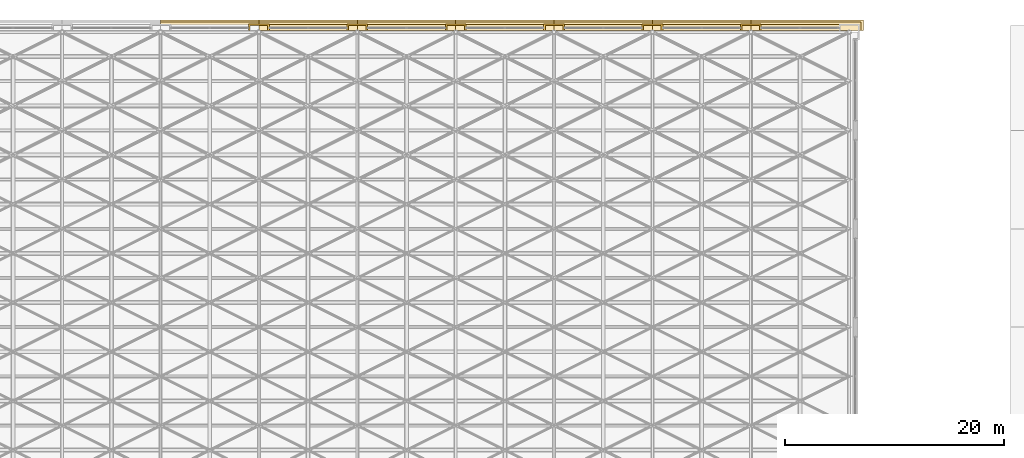
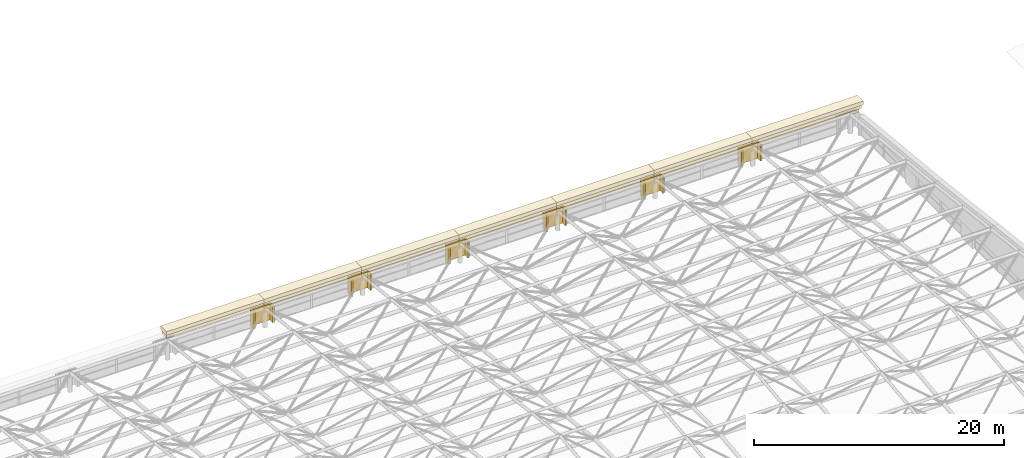
# One storey, part 53 of 53: 26 coverings.
"""IFC4 building model written with IfcOpenShell, lengths in metres."""

from ifc_helpers import new_model, si_unit, direction, frame, origin, place, context, subcontext, project, spatial, polyline, outline, extrude, material, layer, layer_set, type_object, element, save


model = new_model("IFC4")

# Units and contexts
model_context = context("Model", 3, precision=1e-05, world=origin(), true_north=direction((0.0, 1.0)))
body_context = subcontext(model_context, "Body", "Model", "MODEL_VIEW")
ifc_project = project(units=[si_unit("LENGTHUNIT", "METRE"), si_unit("AREAUNIT", "SQUARE_METRE"), si_unit("VOLUMEUNIT", "CUBIC_METRE"), si_unit("PLANEANGLEUNIT", "RADIAN"), si_unit("MASSUNIT", "GRAM", prefix="KILO")], contexts=[model_context])

# Site, building, storey
site_placement = place(None, origin())
site = spatial("IfcSite", under=ifc_project, at=site_placement, CompositionType="ELEMENT")
building_placement = place(site_placement, origin())
building = spatial("IfcBuilding", under=site, at=building_placement, Name="Aravalli Gate Trade Fair Centre", CompositionType="ELEMENT")
storey_placement = place(building_placement, frame((0.0, 0.0, 25.199951171875)))
storey = spatial("IfcBuildingStorey", under=building, at=storey_placement, Name="ROOF LEVEL 2", CompositionType="ELEMENT", Elevation=25.199951171875)

# Coverings
ifc_material = material(Name="Terracotta", Category="masonry")
ifc_layer_1 = layer(ifc_material, 0.300048828125)
ifc_layer_set_1 = layer_set([ifc_layer_1], Name="Terracotta")
covering_type_1 = type_object("IfcCoveringType", Name="Hall cornice course 1", PredefinedType="CLADDING", material=ifc_layer_set_1)
covering_1_placement = place(storey_placement, frame((0.0, 0.0, 1.60009765625)))
element("IfcCovering", 1, at=covering_1_placement, inside=storey, type_object=covering_type_1, Name="Hall cornice course 1 N06", PredefinedType="CLADDING", context=body_context, shape_type="SweptSolid", body=[
    extrude(outline(polyline([(51.0, 109.14990234375), (60.0, 109.14990234375), (60.0, 109.699951171875), (51.0, 109.699951171875), (51.0, 109.14990234375)])), origin(), (0.0, 0.0, 1.0), 0.300048828125),
])
covering_2_placement = place(storey_placement, frame((0.0, 0.0, 1.60009765625)))
element("IfcCovering", 2, at=covering_2_placement, inside=storey, type_object=covering_type_1, Name="Hall cornice course 1 N07", PredefinedType="CLADDING", context=body_context, shape_type="SweptSolid", body=[
    extrude(outline(polyline([(60.0, 109.14990234375), (69.0, 109.14990234375), (69.0, 109.699951171875), (60.0, 109.699951171875), (60.0, 109.14990234375)])), origin(), (0.0, 0.0, 1.0), 0.300048828125),
])
covering_3_placement = place(storey_placement, frame((0.0, 0.0, 1.60009765625)))
element("IfcCovering", 3, at=covering_3_placement, inside=storey, type_object=covering_type_1, Name="Hall cornice course 1 N08", PredefinedType="CLADDING", context=body_context, shape_type="SweptSolid", body=[
    extrude(outline(polyline([(69.0, 109.14990234375), (78.0, 109.14990234375), (78.0, 109.699951171875), (69.0, 109.699951171875), (69.0, 109.14990234375)])), origin(), (0.0, 0.0, 1.0), 0.300048828125),
])
covering_4_placement = place(storey_placement, frame((0.0, 0.0, 1.60009765625)))
element("IfcCovering", 4, at=covering_4_placement, inside=storey, type_object=covering_type_1, Name="Hall cornice course 1 N09", PredefinedType="CLADDING", context=body_context, shape_type="SweptSolid", body=[
    extrude(outline(polyline([(78.0, 109.14990234375), (87.0, 109.14990234375), (87.0, 109.699951171875), (78.0, 109.699951171875), (78.0, 109.14990234375)])), origin(), (0.0, 0.0, 1.0), 0.300048828125),
])
covering_5_placement = place(storey_placement, frame((0.0, 0.0, 1.60009765625)))
element("IfcCovering", 5, at=covering_5_placement, inside=storey, type_object=covering_type_1, Name="Hall cornice course 1 N10", PredefinedType="CLADDING", context=body_context, shape_type="SweptSolid", body=[
    extrude(outline(polyline([(87.0, 109.14990234375), (96.0, 109.14990234375), (96.0, 109.699951171875), (87.0, 109.699951171875), (87.0, 109.14990234375)])), origin(), (0.0, 0.0, 1.0), 0.300048828125),
])
covering_6_placement = place(storey_placement, frame((0.0, 0.0, 1.60009765625)))
element("IfcCovering", 6, at=covering_6_placement, inside=storey, type_object=covering_type_1, Name="Hall cornice course 1 N11", PredefinedType="CLADDING", context=body_context, shape_type="SweptSolid", body=[
    extrude(outline(polyline([(96.0, 109.14990234375), (105.89990234375, 109.14990234375), (105.89990234375, 109.699951171875), (96.0, 109.699951171875), (96.0, 109.14990234375)])), origin(), (0.0, 0.0, 1.0), 0.300048828125),
])
ifc_layer_2 = layer(ifc_material, 0.300048828125)
ifc_layer_set_2 = layer_set([ifc_layer_2], Name="Terracotta")
covering_type_2 = type_object("IfcCoveringType", Name="Hall cornice course 2", PredefinedType="CLADDING", material=ifc_layer_set_2)
covering_7_placement = place(storey_placement, frame((0.0, 0.0, 1.900146484375)))
element("IfcCovering", 7, at=covering_7_placement, inside=storey, type_object=covering_type_2, Name="Hall cornice course 2 N05", PredefinedType="CLADDING", context=body_context, shape_type="SweptSolid", body=[
    extrude(outline(polyline([(42.0, 109.14990234375), (51.0, 109.14990234375), (51.0, 109.89990234375), (42.0, 109.89990234375), (42.0, 109.14990234375)])), origin(), (0.0, 0.0, 1.0), 0.2998046875),
])
covering_8_placement = place(storey_placement, frame((0.0, 0.0, 1.900146484375)))
element("IfcCovering", 8, at=covering_8_placement, inside=storey, type_object=covering_type_2, Name="Hall cornice course 2 N06", PredefinedType="CLADDING", context=body_context, shape_type="SweptSolid", body=[
    extrude(outline(polyline([(51.0, 109.14990234375), (60.0, 109.14990234375), (60.0, 109.89990234375), (51.0, 109.89990234375), (51.0, 109.14990234375)])), origin(), (0.0, 0.0, 1.0), 0.2998046875),
])
covering_9_placement = place(storey_placement, frame((0.0, 0.0, 1.900146484375)))
element("IfcCovering", 9, at=covering_9_placement, inside=storey, type_object=covering_type_2, Name="Hall cornice course 2 N07", PredefinedType="CLADDING", context=body_context, shape_type="SweptSolid", body=[
    extrude(outline(polyline([(60.0, 109.14990234375), (69.0, 109.14990234375), (69.0, 109.89990234375), (60.0, 109.89990234375), (60.0, 109.14990234375)])), origin(), (0.0, 0.0, 1.0), 0.2998046875),
])
covering_10_placement = place(storey_placement, frame((0.0, 0.0, 1.900146484375)))
element("IfcCovering", 10, at=covering_10_placement, inside=storey, type_object=covering_type_2, Name="Hall cornice course 2 N08", PredefinedType="CLADDING", context=body_context, shape_type="SweptSolid", body=[
    extrude(outline(polyline([(69.0, 109.14990234375), (78.0, 109.14990234375), (78.0, 109.89990234375), (69.0, 109.89990234375), (69.0, 109.14990234375)])), origin(), (0.0, 0.0, 1.0), 0.2998046875),
])
covering_11_placement = place(storey_placement, frame((0.0, 0.0, 1.900146484375)))
element("IfcCovering", 11, at=covering_11_placement, inside=storey, type_object=covering_type_2, Name="Hall cornice course 2 N09", PredefinedType="CLADDING", context=body_context, shape_type="SweptSolid", body=[
    extrude(outline(polyline([(78.0, 109.14990234375), (87.0, 109.14990234375), (87.0, 109.89990234375), (78.0, 109.89990234375), (78.0, 109.14990234375)])), origin(), (0.0, 0.0, 1.0), 0.2998046875),
])
covering_12_placement = place(storey_placement, frame((0.0, 0.0, 1.900146484375)))
element("IfcCovering", 12, at=covering_12_placement, inside=storey, type_object=covering_type_2, Name="Hall cornice course 2 N10", PredefinedType="CLADDING", context=body_context, shape_type="SweptSolid", body=[
    extrude(outline(polyline([(87.0, 109.14990234375), (96.0, 109.14990234375), (96.0, 109.89990234375), (87.0, 109.89990234375), (87.0, 109.14990234375)])), origin(), (0.0, 0.0, 1.0), 0.2998046875),
])
covering_13_placement = place(storey_placement, frame((0.0, 0.0, 1.900146484375)))
element("IfcCovering", 13, at=covering_13_placement, inside=storey, type_object=covering_type_2, Name="Hall cornice course 2 N11", PredefinedType="CLADDING", context=body_context, shape_type="SweptSolid", body=[
    extrude(outline(polyline([(96.0, 109.14990234375), (106.10009765625, 109.14990234375), (106.10009765625, 109.89990234375), (96.0, 109.89990234375), (96.0, 109.14990234375)])), origin(), (0.0, 0.0, 1.0), 0.2998046875),
])
ifc_layer_3 = layer(ifc_material, 0.35009765625)
ifc_layer_set_3 = layer_set([ifc_layer_3], Name="Terracotta")
covering_type_3 = type_object("IfcCoveringType", Name="Hall cornice course 3", PredefinedType="CLADDING", material=ifc_layer_set_3)
covering_14_placement = place(storey_placement, frame((0.0, 0.0, 2.199951171875)))
element("IfcCovering", 14, at=covering_14_placement, inside=storey, type_object=covering_type_3, Name="Hall cornice course 3 N05", PredefinedType="CLADDING", context=body_context, shape_type="SweptSolid", body=[
    extrude(outline(polyline([(42.0, 109.14990234375), (51.0, 109.14990234375), (51.0, 110.10009765625), (42.0, 110.10009765625), (42.0, 109.14990234375)])), origin(), (0.0, 0.0, 1.0), 0.35009765625),
])
covering_15_placement = place(storey_placement, frame((0.0, 0.0, 2.199951171875)))
element("IfcCovering", 15, at=covering_15_placement, inside=storey, type_object=covering_type_3, Name="Hall cornice course 3 N06", PredefinedType="CLADDING", context=body_context, shape_type="SweptSolid", body=[
    extrude(outline(polyline([(51.0, 109.14990234375), (60.0, 109.14990234375), (60.0, 110.10009765625), (51.0, 110.10009765625), (51.0, 109.14990234375)])), origin(), (0.0, 0.0, 1.0), 0.35009765625),
])
covering_16_placement = place(storey_placement, frame((0.0, 0.0, 2.199951171875)))
element("IfcCovering", 16, at=covering_16_placement, inside=storey, type_object=covering_type_3, Name="Hall cornice course 3 N07", PredefinedType="CLADDING", context=body_context, shape_type="SweptSolid", body=[
    extrude(outline(polyline([(60.0, 109.14990234375), (69.0, 109.14990234375), (69.0, 110.10009765625), (60.0, 110.10009765625), (60.0, 109.14990234375)])), origin(), (0.0, 0.0, 1.0), 0.35009765625),
])
covering_17_placement = place(storey_placement, frame((0.0, 0.0, 2.199951171875)))
element("IfcCovering", 17, at=covering_17_placement, inside=storey, type_object=covering_type_3, Name="Hall cornice course 3 N08", PredefinedType="CLADDING", context=body_context, shape_type="SweptSolid", body=[
    extrude(outline(polyline([(69.0, 109.14990234375), (78.0, 109.14990234375), (78.0, 110.10009765625), (69.0, 110.10009765625), (69.0, 109.14990234375)])), origin(), (0.0, 0.0, 1.0), 0.35009765625),
])
covering_18_placement = place(storey_placement, frame((0.0, 0.0, 2.199951171875)))
element("IfcCovering", 18, at=covering_18_placement, inside=storey, type_object=covering_type_3, Name="Hall cornice course 3 N09", PredefinedType="CLADDING", context=body_context, shape_type="SweptSolid", body=[
    extrude(outline(polyline([(78.0, 109.14990234375), (87.0, 109.14990234375), (87.0, 110.10009765625), (78.0, 110.10009765625), (78.0, 109.14990234375)])), origin(), (0.0, 0.0, 1.0), 0.35009765625),
])
covering_19_placement = place(storey_placement, frame((0.0, 0.0, 2.199951171875)))
element("IfcCovering", 19, at=covering_19_placement, inside=storey, type_object=covering_type_3, Name="Hall cornice course 3 N10", PredefinedType="CLADDING", context=body_context, shape_type="SweptSolid", body=[
    extrude(outline(polyline([(87.0, 109.14990234375), (96.0, 109.14990234375), (96.0, 110.10009765625), (87.0, 110.10009765625), (87.0, 109.14990234375)])), origin(), (0.0, 0.0, 1.0), 0.35009765625),
])
covering_20_placement = place(storey_placement, frame((0.0, 0.0, 2.199951171875)))
element("IfcCovering", 20, at=covering_20_placement, inside=storey, type_object=covering_type_3, Name="Hall cornice course 3 N11", PredefinedType="CLADDING", context=body_context, shape_type="SweptSolid", body=[
    extrude(outline(polyline([(96.0, 109.14990234375), (106.300048828125, 109.14990234375), (106.300048828125, 110.10009765625), (96.0, 110.10009765625), (96.0, 109.14990234375)])), origin(), (0.0, 0.0, 1.0), 0.35009765625),
])
ifc_layer_4 = layer(ifc_material, 0.14990234375)
ifc_layer_set_4 = layer_set([ifc_layer_4], Name="Terracotta")
covering_type_4 = type_object("IfcCoveringType", Name="Terracotta pier casing", PredefinedType="CLADDING", material=ifc_layer_set_4)
covering_21_placement = place(storey_placement, origin())
element("IfcCovering", 21, at=covering_21_placement, inside=storey, type_object=covering_type_4, Name="Clad pier H6 ROOF LEVEL 2", PredefinedType="CLADDING", context=body_context, shape_type="SweptSolid", body=[
    extrude(outline(polyline([(50.050048828125, 109.75), (51.949951171875, 109.75), (51.949951171875, 109.14990234375), (51.800048828125, 109.14990234375), (51.800048828125, 109.60009765625), (50.199951171875, 109.60009765625), (50.199951171875, 109.14990234375), (50.050048828125, 109.14990234375), (50.050048828125, 109.75)])), origin(), (0.0, 0.0, 1.0), 1.60009765625),
])
covering_22_placement = place(storey_placement, origin())
element("IfcCovering", 22, at=covering_22_placement, inside=storey, type_object=covering_type_4, Name="Clad pier H7 ROOF LEVEL 2", PredefinedType="CLADDING", context=body_context, shape_type="SweptSolid", body=[
    extrude(outline(polyline([(59.050048828125, 109.75), (60.949951171875, 109.75), (60.949951171875, 109.14990234375), (60.800048828125, 109.14990234375), (60.800048828125, 109.60009765625), (59.199951171875, 109.60009765625), (59.199951171875, 109.14990234375), (59.050048828125, 109.14990234375), (59.050048828125, 109.75)])), origin(), (0.0, 0.0, 1.0), 1.60009765625),
])
covering_23_placement = place(storey_placement, origin())
element("IfcCovering", 23, at=covering_23_placement, inside=storey, type_object=covering_type_4, Name="Clad pier H8 ROOF LEVEL 2", PredefinedType="CLADDING", context=body_context, shape_type="SweptSolid", body=[
    extrude(outline(polyline([(68.050048828125, 109.75), (69.949951171875, 109.75), (69.949951171875, 109.14990234375), (69.800048828125, 109.14990234375), (69.800048828125, 109.60009765625), (68.199951171875, 109.60009765625), (68.199951171875, 109.14990234375), (68.050048828125, 109.14990234375), (68.050048828125, 109.75)])), origin(), (0.0, 0.0, 1.0), 1.60009765625),
])
covering_24_placement = place(storey_placement, origin())
element("IfcCovering", 24, at=covering_24_placement, inside=storey, type_object=covering_type_4, Name="Clad pier H9 ROOF LEVEL 2", PredefinedType="CLADDING", context=body_context, shape_type="SweptSolid", body=[
    extrude(outline(polyline([(77.050048828125, 109.75), (78.949951171875, 109.75), (78.949951171875, 109.14990234375), (78.800048828125, 109.14990234375), (78.800048828125, 109.60009765625), (77.199951171875, 109.60009765625), (77.199951171875, 109.14990234375), (77.050048828125, 109.14990234375), (77.050048828125, 109.75)])), origin(), (0.0, 0.0, 1.0), 1.60009765625),
])
covering_25_placement = place(storey_placement, origin())
element("IfcCovering", 25, at=covering_25_placement, inside=storey, type_object=covering_type_4, Name="Clad pier H10 ROOF LEVEL 2", PredefinedType="CLADDING", context=body_context, shape_type="SweptSolid", body=[
    extrude(outline(polyline([(86.050048828125, 109.75), (87.949951171875, 109.75), (87.949951171875, 109.14990234375), (87.800048828125, 109.14990234375), (87.800048828125, 109.60009765625), (86.199951171875, 109.60009765625), (86.199951171875, 109.14990234375), (86.050048828125, 109.14990234375), (86.050048828125, 109.75)])), origin(), (0.0, 0.0, 1.0), 1.60009765625),
])
covering_26_placement = place(storey_placement, origin())
element("IfcCovering", 26, at=covering_26_placement, inside=storey, type_object=covering_type_4, Name="Clad pier H11 ROOF LEVEL 2", PredefinedType="CLADDING", context=body_context, shape_type="SweptSolid", body=[
    extrude(outline(polyline([(95.050048828125, 109.75), (96.949951171875, 109.75), (96.949951171875, 109.14990234375), (96.800048828125, 109.14990234375), (96.800048828125, 109.60009765625), (95.199951171875, 109.60009765625), (95.199951171875, 109.14990234375), (95.050048828125, 109.14990234375), (95.050048828125, 109.75)])), origin(), (0.0, 0.0, 1.0), 1.60009765625),
])

save(model, "model.ifc")
